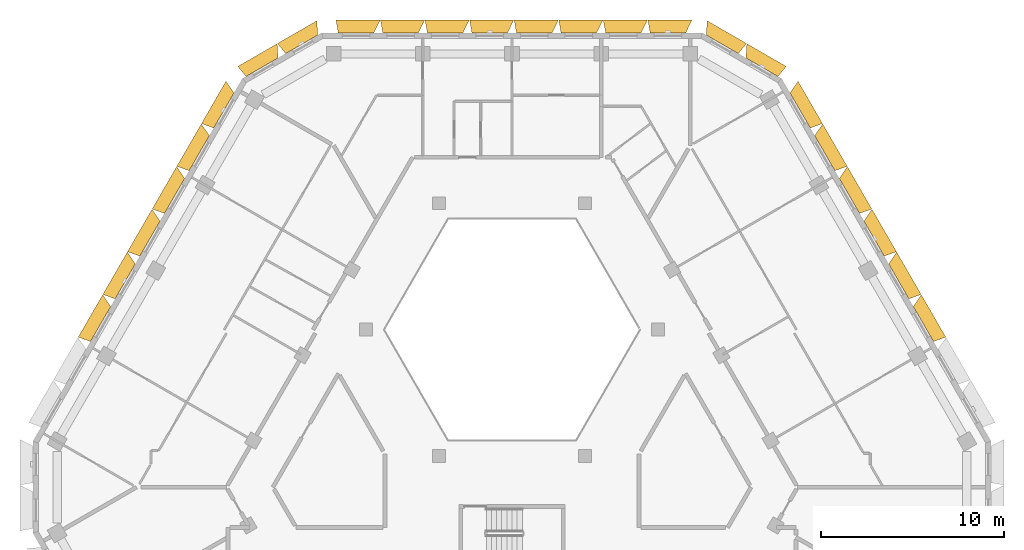
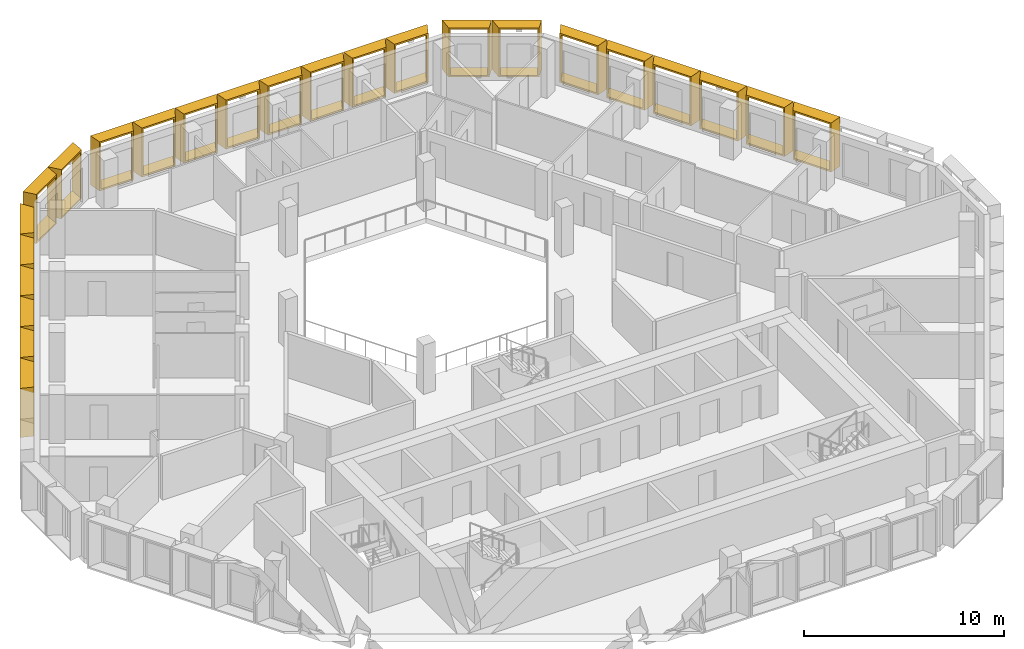
# One storey, part 17 of 17: 24 shading devices.
"""IFC4 building model written with IfcOpenShell, lengths in metres."""

from ifc_helpers import new_model, entity, si_unit, direction, frame, origin, place, context, subcontext, project, spatial, source, transform, mapped, material, type_object, type_shapes, element, save


model = new_model("IFC4")

# Units and contexts
model_context = context("Model", 3, precision=1e-05, world=origin(), true_north=direction((0.0, 1.0)))
body_context = subcontext(model_context, "Body", "Model", "MODEL_VIEW")
ifc_project = project(units=[si_unit("LENGTHUNIT", "METRE"), si_unit("AREAUNIT", "SQUARE_METRE"), si_unit("VOLUMEUNIT", "CUBIC_METRE"), si_unit("PLANEANGLEUNIT", "RADIAN"), si_unit("MASSUNIT", "GRAM", prefix="KILO")], contexts=[model_context])

# Site, building, storey
site_placement = place(None, origin())
site = spatial("IfcSite", under=ifc_project, at=site_placement, CompositionType="ELEMENT")
building_placement = place(site_placement, origin())
building = spatial("IfcBuilding", under=site, at=building_placement, Name="Beryl Residences", CompositionType="ELEMENT")
storey_placement = place(building_placement, frame((0.0, 0.0, 178.199951171875)))
storey = spatial("IfcBuildingStorey", under=building, at=storey_placement, Name="L54", CompositionType="ELEMENT", Elevation=178.199951171875)

# Shading devices
ifc_material_1 = material(Name="Aluminium pale anodised", Category="aluminium")
shading_device_type_1 = type_object("IfcShadingDeviceType", Name="FR243-70B OUTER SKIN frame 700 mm deep, splay 26/10 deg, 2430 x 3000 mm cell", PredefinedType="USERDEFINED", material=ifc_material_1)
cartesian_point_1 = entity("IfcCartesianPoint", [-0.972412109375, 0.0])
cartesian_point_2 = entity("IfcCartesianPoint", [-0.883544921875, 0.10009765625])
cartesian_point_3 = entity("IfcCartesianPoint", [-1.31396484375, 0.0])
cartesian_point_4 = entity("IfcCartesianPoint", [-1.224853515625, 0.10009765625])
shared_shape_1 = source(origin(), body_context, "Body", "SweptSolid", [
    entity("IfcExtrudedAreaSolidTapered", entity("IfcArbitraryProfileDefWithVoids", "AREA", None, entity("IfcPolyline", [cartesian_point_1, entity("IfcCartesianPoint", [0.972412109375, 0.0]), entity("IfcCartesianPoint", [0.972412109375, 3.0]), entity("IfcCartesianPoint", [-0.972412109375, 3.0]), cartesian_point_1]), [entity("IfcPolyline", [cartesian_point_2, entity("IfcCartesianPoint", [0.891357421875, 0.10009765625]), entity("IfcCartesianPoint", [0.891357421875, 2.89990234375]), entity("IfcCartesianPoint", [-0.883544921875, 2.89990234375]), cartesian_point_2])]), entity("IfcAxis2Placement3D", entity("IfcCartesianPoint", [0.0, 0.0, 0.0]), entity("IfcDirection", [0.0, 1.0, 0.0]), entity("IfcDirection", [-1.0, 0.0, 0.0])), entity("IfcDirection", [0.0, 0.0, 1.0]), 0.699951171875, entity("IfcArbitraryProfileDefWithVoids", "AREA", None, entity("IfcPolyline", [cartesian_point_3, entity("IfcCartesianPoint", [1.095947265625, 0.0]), entity("IfcCartesianPoint", [1.095947265625, 3.0]), entity("IfcCartesianPoint", [-1.31396484375, 3.0]), cartesian_point_3]), [entity("IfcPolyline", [cartesian_point_4, entity("IfcCartesianPoint", [1.0146484375, 0.10009765625]), entity("IfcCartesianPoint", [1.0146484375, 2.89990234375]), entity("IfcCartesianPoint", [-1.224853515625, 2.89990234375]), cartesian_point_4])])),
])
type_shapes(shading_device_type_1, [shared_shape_1])
for number, where, z_axis, x_axis, name in (
    (1, (8.511962890625, 24.199951171875, 0.0), (0.0, 0.0, 1.0), (1.0, 0.0, 0.0), "FR243-70B frame L54 N 1"),
    (2, (6.080078125, 24.199951171875, 0.0), (0.0, 0.0, 1.0), (1.0, 0.0, 0.0), "FR243-70B frame L54 N 2"),
    (3, (3.64794921875, 24.199951171875, 0.0), (0.0, 0.0, 1.0), (1.0, 0.0, 0.0), "FR243-70B frame L54 N 3"),
    (4, (1.216064453125, 24.199951171875, 0.0), (0.0, 0.0, 1.0), (1.0, 0.0, 0.0), "FR243-70B frame L54 N 4"),
    (5, (-1.216064453125, 24.199951171875, 0.0), (0.0, 0.0, 1.0), (1.0, 0.0, 0.0), "FR243-70B frame L54 N 5"),
    (6, (-3.64794921875, 24.199951171875, 0.0), (0.0, 0.0, 1.0), (1.0, 0.0, 0.0), "FR243-70B frame L54 N 6"),
    (7, (-6.080078125, 24.199951171875, 0.0), (0.0, 0.0, 1.0), (1.0, 0.0, 0.0), "FR243-70B frame L54 N 7"),
    (8, (-8.511962890625, 24.199951171875, 0.0), (0.0, 0.0, 1.0), (1.0, 0.0, 0.0), "FR243-70B frame L54 N 8"),
):
    element("IfcShadingDevice", number, at=place(storey_placement, frame(where, z_axis=z_axis, x_axis=x_axis)), inside=storey, type_object=shading_device_type_1, Name=name, ObjectType="OUTER SKIN", PredefinedType="USERDEFINED", context=body_context, shape_type="MappedRepresentation", body=[
        mapped(shared_shape_1, transform((0.0, 0.0, 0.0))),
    ])
ifc_material_2 = material(Name="Aluminium pale anodised", Category="aluminium")
shading_device_type_2 = type_object("IfcShadingDeviceType", Name="FR250-70B OUTER SKIN frame 700 mm deep, splay 26/10 deg, 2500 x 3000 mm cell", PredefinedType="USERDEFINED", material=ifc_material_2)
cartesian_point_5 = entity("IfcCartesianPoint", [-1.007568359375, 0.0])
cartesian_point_6 = entity("IfcCartesianPoint", [-0.91845703125, 0.10009765625])
cartesian_point_7 = entity("IfcCartesianPoint", [-1.348876953125, 0.0])
cartesian_point_8 = entity("IfcCartesianPoint", [-1.260009765625, 0.10009765625])
shared_shape_2 = source(origin(), body_context, "Body", "SweptSolid", [
    entity("IfcExtrudedAreaSolidTapered", entity("IfcArbitraryProfileDefWithVoids", "AREA", None, entity("IfcPolyline", [cartesian_point_5, entity("IfcCartesianPoint", [1.007568359375, 0.0]), entity("IfcCartesianPoint", [1.007568359375, 3.0]), entity("IfcCartesianPoint", [-1.007568359375, 3.0]), cartesian_point_5]), [entity("IfcPolyline", [cartesian_point_6, entity("IfcCartesianPoint", [0.92626953125, 0.10009765625]), entity("IfcCartesianPoint", [0.92626953125, 2.89990234375]), entity("IfcCartesianPoint", [-0.91845703125, 2.89990234375]), cartesian_point_6])]), entity("IfcAxis2Placement3D", entity("IfcCartesianPoint", [0.0, 0.0, 0.0]), entity("IfcDirection", [0.0, 1.0, 0.0]), entity("IfcDirection", [-1.0, 0.0, 0.0])), entity("IfcDirection", [0.0, 0.0, 1.0]), 0.699951171875, entity("IfcArbitraryProfileDefWithVoids", "AREA", None, entity("IfcPolyline", [cartesian_point_7, entity("IfcCartesianPoint", [1.130859375, 0.0]), entity("IfcCartesianPoint", [1.130859375, 3.0]), entity("IfcCartesianPoint", [-1.348876953125, 3.0]), cartesian_point_7]), [entity("IfcPolyline", [cartesian_point_8, entity("IfcCartesianPoint", [1.0498046875, 0.10009765625]), entity("IfcCartesianPoint", [1.0498046875, 2.89990234375]), entity("IfcCartesianPoint", [-1.260009765625, 2.89990234375]), cartesian_point_8])])),
])
type_shapes(shading_device_type_2, [shared_shape_2])
for number, where, z_axis, x_axis, name in (
    (9, (-11.47412109375, 23.574951171875, 0.0), (0.0, 0.0, 1.0), (0.866025403784, 0.5, 0.0), "FR250-70B frame L54 N-NW 1"),
    (10, (-13.638916015625, 22.324951171875, 0.0), (0.0, 0.0, 1.0), (0.866025403784, 0.5, 0.0), "FR250-70B frame L54 N-NW 2"),
):
    element("IfcShadingDevice", number, at=place(storey_placement, frame(where, z_axis=z_axis, x_axis=x_axis)), inside=storey, type_object=shading_device_type_2, Name=name, ObjectType="OUTER SKIN", PredefinedType="USERDEFINED", context=body_context, shape_type="MappedRepresentation", body=[
        mapped(shared_shape_2, transform((0.0, 0.0, 0.0))),
    ])
ifc_material_3 = material(Name="Aluminium pale anodised", Category="aluminium")
shading_device_type_3 = type_object("IfcShadingDeviceType", Name="FR250-70C OUTER SKIN frame 700 mm deep, splay 10/26 deg, 2500 x 3000 mm cell", PredefinedType="USERDEFINED", material=ifc_material_3)
cartesian_point_9 = entity("IfcCartesianPoint", [-1.007568359375, 0.0])
cartesian_point_10 = entity("IfcCartesianPoint", [-0.92626953125, 0.10009765625])
cartesian_point_11 = entity("IfcCartesianPoint", [-1.130859375, 0.0])
cartesian_point_12 = entity("IfcCartesianPoint", [-1.0498046875, 0.10009765625])
shared_shape_3 = source(origin(), body_context, "Body", "SweptSolid", [
    entity("IfcExtrudedAreaSolidTapered", entity("IfcArbitraryProfileDefWithVoids", "AREA", None, entity("IfcPolyline", [cartesian_point_9, entity("IfcCartesianPoint", [1.007568359375, 0.0]), entity("IfcCartesianPoint", [1.007568359375, 3.0]), entity("IfcCartesianPoint", [-1.007568359375, 3.0]), cartesian_point_9]), [entity("IfcPolyline", [cartesian_point_10, entity("IfcCartesianPoint", [0.91845703125, 0.10009765625]), entity("IfcCartesianPoint", [0.91845703125, 2.89990234375]), entity("IfcCartesianPoint", [-0.92626953125, 2.89990234375]), cartesian_point_10])]), entity("IfcAxis2Placement3D", entity("IfcCartesianPoint", [0.0, 0.0, 0.0]), entity("IfcDirection", [0.0, 1.0, 0.0]), entity("IfcDirection", [-1.0, 0.0, 0.0])), entity("IfcDirection", [0.0, 0.0, 1.0]), 0.699951171875, entity("IfcArbitraryProfileDefWithVoids", "AREA", None, entity("IfcPolyline", [cartesian_point_11, entity("IfcCartesianPoint", [1.348876953125, 0.0]), entity("IfcCartesianPoint", [1.348876953125, 3.0]), entity("IfcCartesianPoint", [-1.130859375, 3.0]), cartesian_point_11]), [entity("IfcPolyline", [cartesian_point_12, entity("IfcCartesianPoint", [1.260009765625, 0.10009765625]), entity("IfcCartesianPoint", [1.260009765625, 2.89990234375]), entity("IfcCartesianPoint", [-1.0498046875, 2.89990234375]), cartesian_point_12])])),
])
type_shapes(shading_device_type_3, [shared_shape_3])
for number, where, z_axis, x_axis, name in (
    (11, (13.638916015625, 22.324951171875, 0.0), (0.0, 0.0, 1.0), (0.866025403784, -0.5, 0.0), "FR250-70C frame L54 NE-N 1"),
    (12, (11.47412109375, 23.574951171875, 0.0), (0.0, 0.0, 1.0), (0.866025403784, -0.5, 0.0), "FR250-70C frame L54 NE-N 2"),
):
    element("IfcShadingDevice", number, at=place(storey_placement, frame(where, z_axis=z_axis, x_axis=x_axis)), inside=storey, type_object=shading_device_type_3, Name=name, ObjectType="OUTER SKIN", PredefinedType="USERDEFINED", context=body_context, shape_type="MappedRepresentation", body=[
        mapped(shared_shape_3, transform((0.0, 0.0, 0.0))),
    ])
ifc_material_4 = material(Name="Aluminium pale anodised", Category="aluminium")
shading_device_type_4 = type_object("IfcShadingDeviceType", Name="FR269-70B OUTER SKIN frame 700 mm deep, splay 26/10 deg, 2690 x 3000 mm cell", PredefinedType="USERDEFINED", material=ifc_material_4)
cartesian_point_13 = entity("IfcCartesianPoint", [-1.1025390625, 0.0])
cartesian_point_14 = entity("IfcCartesianPoint", [-1.013427734375, 0.10009765625])
cartesian_point_15 = entity("IfcCartesianPoint", [-1.44384765625, 0.0])
cartesian_point_16 = entity("IfcCartesianPoint", [-1.35498046875, 0.10009765625])
shared_shape_4 = source(origin(), body_context, "Body", "SweptSolid", [
    entity("IfcExtrudedAreaSolidTapered", entity("IfcArbitraryProfileDefWithVoids", "AREA", None, entity("IfcPolyline", [cartesian_point_13, entity("IfcCartesianPoint", [1.1025390625, 0.0]), entity("IfcCartesianPoint", [1.1025390625, 3.0]), entity("IfcCartesianPoint", [-1.1025390625, 3.0]), cartesian_point_13]), [entity("IfcPolyline", [cartesian_point_14, entity("IfcCartesianPoint", [1.021240234375, 0.10009765625]), entity("IfcCartesianPoint", [1.021240234375, 2.89990234375]), entity("IfcCartesianPoint", [-1.013427734375, 2.89990234375]), cartesian_point_14])]), entity("IfcAxis2Placement3D", entity("IfcCartesianPoint", [0.0, 0.0, 0.0]), entity("IfcDirection", [0.0, 1.0, 0.0]), entity("IfcDirection", [-1.0, 0.0, 0.0])), entity("IfcDirection", [0.0, 0.0, 1.0]), 0.699951171875, entity("IfcArbitraryProfileDefWithVoids", "AREA", None, entity("IfcPolyline", [cartesian_point_15, entity("IfcCartesianPoint", [1.225830078125, 0.0]), entity("IfcCartesianPoint", [1.225830078125, 3.0]), entity("IfcCartesianPoint", [-1.44384765625, 3.0]), cartesian_point_15]), [entity("IfcPolyline", [cartesian_point_16, entity("IfcCartesianPoint", [1.144775390625, 0.10009765625]), entity("IfcCartesianPoint", [1.144775390625, 2.89990234375]), entity("IfcCartesianPoint", [-1.35498046875, 2.89990234375]), cartesian_point_16])])),
])
type_shapes(shading_device_type_4, [shared_shape_4])
for number, where, z_axis, x_axis, name in (
    (13, (-15.72705078125, 19.9599609375, 0.0), (0.0, 0.0, 1.0), (0.5, 0.866025403784, 0.0), "FR269-70B frame L54 NW 1"),
    (14, (-17.072998046875, 17.6279296875, 0.0), (0.0, 0.0, 1.0), (0.5, 0.866025403784, 0.0), "FR269-70B frame L54 NW 2"),
    (15, (-18.4189453125, 15.297119140625, 0.0), (0.0, 0.0, 1.0), (0.5, 0.866025403784, 0.0), "FR269-70B frame L54 NW 3"),
    (16, (-19.764892578125, 12.966064453125, 0.0), (0.0, 0.0, 1.0), (0.5, 0.866025403784, 0.0), "FR269-70B frame L54 NW 4"),
    (17, (-21.111083984375, 10.634033203125, 0.0), (0.0, 0.0, 1.0), (0.5, 0.866025403784, 0.0), "FR269-70B frame L54 NW 5"),
    (18, (-22.45703125, 8.302978515625, 0.0), (0.0, 0.0, 1.0), (0.5, 0.866025403784, 0.0), "FR269-70B frame L54 NW 6"),
):
    element("IfcShadingDevice", number, at=place(storey_placement, frame(where, z_axis=z_axis, x_axis=x_axis)), inside=storey, type_object=shading_device_type_4, Name=name, ObjectType="OUTER SKIN", PredefinedType="USERDEFINED", context=body_context, shape_type="MappedRepresentation", body=[
        mapped(shared_shape_4, transform((0.0, 0.0, 0.0))),
    ])
ifc_material_5 = material(Name="Aluminium pale anodised", Category="aluminium")
shading_device_type_5 = type_object("IfcShadingDeviceType", Name="FR269-70C OUTER SKIN frame 700 mm deep, splay 10/26 deg, 2690 x 3000 mm cell", PredefinedType="USERDEFINED", material=ifc_material_5)
cartesian_point_17 = entity("IfcCartesianPoint", [-1.1025390625, 0.0])
cartesian_point_18 = entity("IfcCartesianPoint", [-1.021240234375, 0.10009765625])
cartesian_point_19 = entity("IfcCartesianPoint", [-1.225830078125, 0.0])
cartesian_point_20 = entity("IfcCartesianPoint", [-1.144775390625, 0.10009765625])
shared_shape_5 = source(origin(), body_context, "Body", "SweptSolid", [
    entity("IfcExtrudedAreaSolidTapered", entity("IfcArbitraryProfileDefWithVoids", "AREA", None, entity("IfcPolyline", [cartesian_point_17, entity("IfcCartesianPoint", [1.1025390625, 0.0]), entity("IfcCartesianPoint", [1.1025390625, 3.0]), entity("IfcCartesianPoint", [-1.1025390625, 3.0]), cartesian_point_17]), [entity("IfcPolyline", [cartesian_point_18, entity("IfcCartesianPoint", [1.013427734375, 0.10009765625]), entity("IfcCartesianPoint", [1.013427734375, 2.89990234375]), entity("IfcCartesianPoint", [-1.021240234375, 2.89990234375]), cartesian_point_18])]), entity("IfcAxis2Placement3D", entity("IfcCartesianPoint", [0.0, 0.0, 0.0]), entity("IfcDirection", [0.0, 1.0, 0.0]), entity("IfcDirection", [-1.0, 0.0, 0.0])), entity("IfcDirection", [0.0, 0.0, 1.0]), 0.699951171875, entity("IfcArbitraryProfileDefWithVoids", "AREA", None, entity("IfcPolyline", [cartesian_point_19, entity("IfcCartesianPoint", [1.44384765625, 0.0]), entity("IfcCartesianPoint", [1.44384765625, 3.0]), entity("IfcCartesianPoint", [-1.225830078125, 3.0]), cartesian_point_19]), [entity("IfcPolyline", [cartesian_point_20, entity("IfcCartesianPoint", [1.35498046875, 0.10009765625]), entity("IfcCartesianPoint", [1.35498046875, 2.89990234375]), entity("IfcCartesianPoint", [-1.144775390625, 2.89990234375]), cartesian_point_20])])),
])
type_shapes(shading_device_type_5, [shared_shape_5])
for number, where, z_axis, x_axis, name in (
    (19, (22.45703125, 8.302978515625, 0.0), (0.0, 0.0, 1.0), (0.5, -0.866025403784, 0.0), "FR269-70C frame L54 NE 3"),
    (20, (21.111083984375, 10.634033203125, 0.0), (0.0, 0.0, 1.0), (0.5, -0.866025403784, 0.0), "FR269-70C frame L54 NE 4"),
    (21, (19.764892578125, 12.966064453125, 0.0), (0.0, 0.0, 1.0), (0.5, -0.866025403784, 0.0), "FR269-70C frame L54 NE 5"),
    (22, (18.4189453125, 15.297119140625, 0.0), (0.0, 0.0, 1.0), (0.5, -0.866025403784, 0.0), "FR269-70C frame L54 NE 6"),
    (23, (17.072998046875, 17.6279296875, 0.0), (0.0, 0.0, 1.0), (0.5, -0.866025403784, 0.0), "FR269-70C frame L54 NE 7"),
    (24, (15.72705078125, 19.9599609375, 0.0), (0.0, 0.0, 1.0), (0.5, -0.866025403784, 0.0), "FR269-70C frame L54 NE 8"),
):
    element("IfcShadingDevice", number, at=place(storey_placement, frame(where, z_axis=z_axis, x_axis=x_axis)), inside=storey, type_object=shading_device_type_5, Name=name, ObjectType="OUTER SKIN", PredefinedType="USERDEFINED", context=body_context, shape_type="MappedRepresentation", body=[
        mapped(shared_shape_5, transform((0.0, 0.0, 0.0))),
    ])

save(model, "model.ifc")
